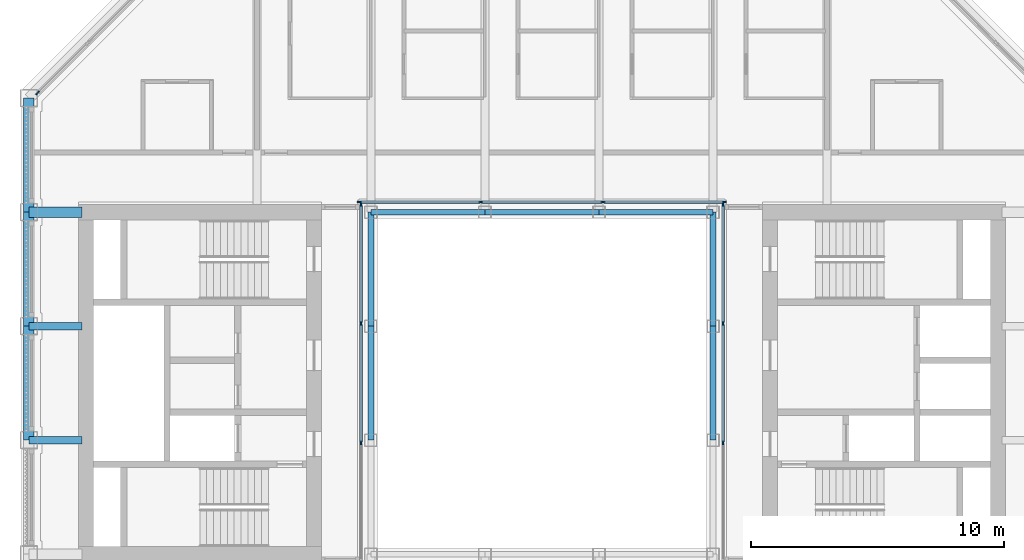
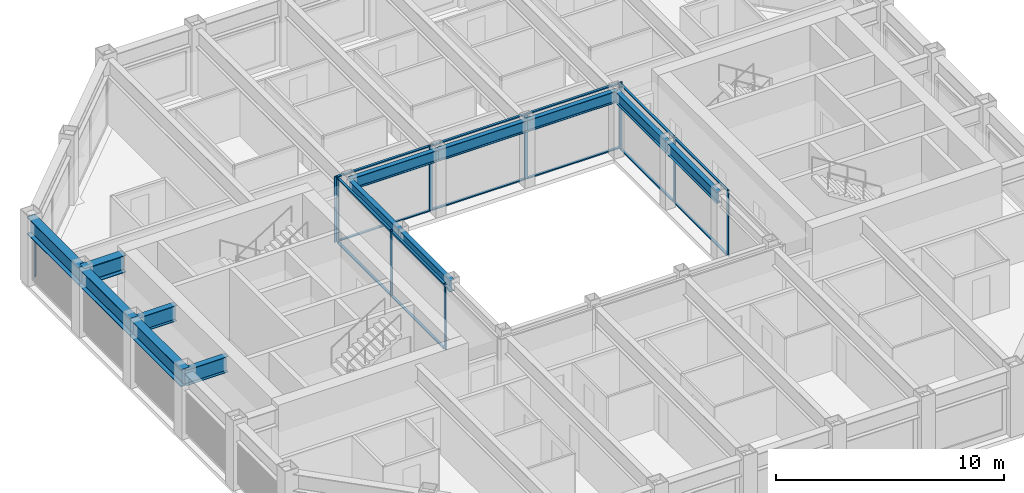
# One storey, part 4 of 17: 25 members, 13 beams, 4 elements without a shape of their own.
"""IFC4 building model written with IfcOpenShell, lengths in metres."""

import ifcopenshell
import ifcopenshell.guid

model = None  # the IFC model being written
_history = None  # IfcOwnerHistory: only IFC2X3 demands one
_inside = {}  # id of a spatial element -> (the spatial element, [elements in it])
_under = {}  # id of a project, library or spatial element -> (it, [spatial elements below it])
_declared = {}  # id of a project -> (the project, [libraries it declares])
_typed = {}  # id of a type object -> (the type object, [elements of that type])
_made_of = {}  # id of a material, layer set ... -> (it, [elements and type objects made of it])


def new_model(schema):
    """Start an empty IFC model of exactly this schema.

    Asked for "IFC4X3", IfcOpenShell would pick the latest addendum, in which some entities
    have other attributes; the version numbers below select the first issue.
    IFC2X3 requires an IfcOwnerHistory on every rooted entity: one is made here for all.
    """
    global model, _history
    if schema == "IFC4X3":
        model = ifcopenshell.file(schema_version=(4, 3, 0, 0))
    else:
        model = ifcopenshell.file(schema=schema)
    _inside.clear()
    _under.clear()
    _declared.clear()
    _typed.clear()
    _made_of.clear()
    _history = None
    if model.schema == "IFC2X3":
        org = make("IfcOrganization", Name="unknown")
        user = make(
            "IfcPersonAndOrganization",
            ThePerson=make("IfcPerson", FamilyName="unknown"),
            TheOrganization=org,
        )
        app = make(
            "IfcApplication",
            ApplicationDeveloper=org,
            Version="unknown",
            ApplicationFullName="unknown",
            ApplicationIdentifier="unknown",
        )
        _history = make(
            "IfcOwnerHistory",
            OwningUser=user,
            OwningApplication=app,
            ChangeAction="ADDED",
            CreationDate=0,
        )
    return model


def make(cls, **values):
    """One entity of the class cls with the attributes given. An attribute that is None is left unset."""
    return model.create_entity(
        cls, **{name: value for name, value in values.items() if value is not None}
    )


def rooted(cls, **values):
    """An entity with a GlobalId (a new one), such as an element, a storey or a relation."""
    return make(cls, GlobalId=ifcopenshell.guid.new(), OwnerHistory=_history, **values)


def si_unit(unit_type, name, prefix=None):
    """IfcSIUnit, for example si_unit("LENGTHUNIT", "METRE", prefix="MILLI")."""
    return make("IfcSIUnit", UnitType=unit_type, Prefix=prefix, Name=name)


def assignment(units):
    """IfcUnitAssignment: the units of a project."""
    return None if units is None else make("IfcUnitAssignment", Units=units)


def point(xyz):
    """IfcCartesianPoint."""
    return None if xyz is None else make("IfcCartesianPoint", Coordinates=xyz)


def direction(xyz):
    """IfcDirection."""
    return None if xyz is None else make("IfcDirection", DirectionRatios=xyz)


def frame(location, z_axis=None, x_axis=None):
    """IfcAxis2Placement3D, a coordinate frame: its origin and axes. An axis left out is left unset."""
    return make(
        "IfcAxis2Placement3D",
        Location=point(location),
        Axis=direction(z_axis),
        RefDirection=direction(x_axis),
    )


def frame_2d(location, x_axis=None):
    """IfcAxis2Placement2D, a coordinate frame in the plane: its origin and x axis."""
    return make(
        "IfcAxis2Placement2D", Location=point(location), RefDirection=direction(x_axis)
    )


def origin():
    """The frame at (0, 0, 0) with its axes left unset."""
    return frame((0.0, 0.0, 0.0))


def origin_2d():
    """The frame at (0, 0) in the plane with its x axis left unset."""
    return frame_2d((0.0, 0.0))


def place(relative_to, where):
    """IfcLocalPlacement: puts the frame where relative to a parent placement (None: the world)."""
    return make(
        "IfcLocalPlacement", PlacementRelTo=relative_to, RelativePlacement=where
    )


def context(
    kind, dimensions, precision=None, world=None, true_north=None, identifier=None
):
    """IfcGeometricRepresentationContext, for example the 3D "Model" context."""
    return make(
        "IfcGeometricRepresentationContext",
        ContextIdentifier=identifier,
        ContextType=kind,
        CoordinateSpaceDimension=dimensions,
        Precision=precision,
        WorldCoordinateSystem=world,
        TrueNorth=true_north,
    )


def subcontext(parent, identifier, kind, view, scale=None):
    """IfcGeometricRepresentationSubContext, for example "Body" below "Model"."""
    return make(
        "IfcGeometricRepresentationSubContext",
        ContextIdentifier=identifier,
        ContextType=kind,
        ParentContext=parent,
        TargetScale=scale,
        TargetView=view,
    )


def project(units=None, contexts=None):
    """IfcProject with its units and contexts."""
    return rooted(
        "IfcProject",
        Name="project",
        RepresentationContexts=contexts,
        UnitsInContext=assignment(units),
    )


def spatial(cls, under=None, at=None, **own):
    """A site, building, storey or space (cls), placed at a placement, below another one or the project."""
    s = rooted(cls, ObjectPlacement=at, **own)
    if under is not None:
        _under.setdefault(under.id(), (under, []))[1].append(s)
    return s


def profile(cls, at=None, kind="AREA", **sizes):
    """A parametric profile (cls). Its sizes go by their IFC names, for example OverallWidth=200.0."""
    return make(cls, ProfileType=kind, Position=at, **sizes)


def rectangle(**sizes):
    """IfcRectangleProfileDef."""
    return profile("IfcRectangleProfileDef", **sizes)


def i_section(**sizes):
    """IfcIShapeProfileDef."""
    return profile("IfcIShapeProfileDef", **sizes)


def extrude(swept, where, along, depth):
    """IfcExtrudedAreaSolid: the profile swept, set in the frame where, extruded along a direction by depth."""
    return make(
        "IfcExtrudedAreaSolid",
        SweptArea=swept,
        Position=where,
        ExtrudedDirection=direction(along),
        Depth=depth,
    )


def shape(context_of_items, identifier, shape_type, items):
    """IfcShapeRepresentation: the items that make up one representation, for example the "Body"."""
    return make(
        "IfcShapeRepresentation",
        ContextOfItems=context_of_items,
        RepresentationIdentifier=identifier,
        RepresentationType=shape_type,
        Items=items,
    )


def material(Name=None, Category=None):
    """IfcMaterial."""
    return make("IfcMaterial", Name=Name, Category=Category)


def material_profile(
    of_material, cross_section, Name=None, Category=None, Priority=None
):
    """IfcMaterialProfile: a cross section and its material."""
    return make(
        "IfcMaterialProfile",
        Name=Name,
        Material=of_material,
        Profile=cross_section,
        Priority=Priority,
        Category=Category,
    )


def profile_set(profiles, Name=None, composite=None):
    """IfcMaterialProfileSet."""
    return make(
        "IfcMaterialProfileSet",
        Name=Name,
        MaterialProfiles=profiles,
        CompositeProfile=composite,
    )


def made_of(thing, what):
    """Note that an element or type object is made of a material, layer set ...; save() writes the relation."""
    if what is not None:
        _made_of.setdefault(what.id(), (what, []))[1].append(thing)
    return thing


def type_object(cls, material=None, **own):
    """A type object (cls), such as IfcWallType, which elements share."""
    return made_of(rooted(cls, **own), material)


def element(
    cls,
    number,
    at=None,
    inside=None,
    cuts=None,
    type_object=None,
    material=None,
    context=None,
    identifier="Body",
    shape_type=None,
    held_by="IfcProductDefinitionShape",
    body=None,
    shapes=None,
    **own,
):
    """One element of the class cls, such as IfcWall. Its Tag is "e" and its number.

    at: its placement. inside: the storey or other place that contains it. cuts: it is an
    opening in that element (IfcRelVoidsElement). A single representation is given by context,
    identifier, shape_type and body (its items); several are given by shapes. held_by: the class
    of the entity that holds the representations. save() writes the other relations.
    """
    e = rooted(cls, Tag="e%d" % number, ObjectPlacement=at, **own)
    if body is not None:
        shapes = [shape(context, identifier, shape_type, body)]
    if shapes is not None:
        e.Representation = make(held_by, Representations=shapes)
    if inside is not None:
        _inside.setdefault(inside.id(), (inside, []))[1].append(e)
    if cuts is not None:
        rooted(
            "IfcRelVoidsElement", RelatingBuildingElement=cuts, RelatedOpeningElement=e
        )
    if type_object is not None:
        _typed.setdefault(type_object.id(), (type_object, []))[1].append(e)
    return made_of(e, material)


def aggregate(whole, parts):
    """IfcRelAggregates: a whole, such as a stair, and the parts it consists of."""
    return rooted("IfcRelAggregates", RelatingObject=whole, RelatedObjects=parts)


def save(model, path):
    """Write the relations noted so far, then the file.

    IfcRelAggregates (storeys below a building ...), IfcRelContainedInSpatialStructure (elements
    in a storey), IfcRelDefinesByType, IfcRelAssociatesMaterial and IfcRelDeclares: one each for
    every whole, place, type object, material and project.
    """
    for whole, parts in _under.values():
        aggregate(whole, parts)
    for where, things in _inside.values():
        rooted(
            "IfcRelContainedInSpatialStructure",
            RelatedElements=things,
            RelatingStructure=where,
        )
    for kind, things in _typed.values():
        rooted("IfcRelDefinesByType", RelatedObjects=things, RelatingType=kind)
    for what, things in _made_of.values():
        rooted("IfcRelAssociatesMaterial", RelatedObjects=things, RelatingMaterial=what)
    for by, libraries in _declared.values():
        rooted("IfcRelDeclares", RelatingContext=by, RelatedDefinitions=libraries)
    model.write(path)


model = new_model("IFC4")

# Units and contexts
model_context = context("Model", 3, precision=1e-05, world=origin(), true_north=direction((0.0, 1.0)))
body_context = subcontext(model_context, "Body", "Model", "MODEL_VIEW")
ifc_project = project(units=[si_unit("LENGTHUNIT", "METRE"), si_unit("AREAUNIT", "SQUARE_METRE"), si_unit("VOLUMEUNIT", "CUBIC_METRE"), si_unit("PLANEANGLEUNIT", "RADIAN"), si_unit("MASSUNIT", "GRAM", prefix="KILO")], contexts=[model_context])

# Site, building, storey
site_placement = place(None, origin())
site = spatial("IfcSite", under=ifc_project, at=site_placement, CompositionType="ELEMENT")
building_placement = place(site_placement, origin())
building = spatial("IfcBuilding", under=site, at=building_placement, Name="Msasa Ring Tower", CompositionType="ELEMENT")
storey_placement = place(building_placement, frame((0.0, 0.0, 253.300048828125)))
storey = spatial("IfcBuildingStorey", under=building, at=storey_placement, Name="L66", CompositionType="ELEMENT", Elevation=253.300048828125)

# Curtain wall, member
ifc_material_1 = material(Name="Aluminium curtain wall with clear glass", Category="aluminium")
curtain_wall_type_1 = type_object("IfcCurtainWallType", Name="CW-C CHAMFER CORNER CURTAIN WALL", PredefinedType="NOTDEFINED", material=ifc_material_1)
curtain_wall_1_placement = place(storey_placement, origin())
curtain_wall_1 = element("IfcCurtainWall", 1, at=curtain_wall_1_placement, inside=storey, type_object=curtain_wall_type_1, Name="Chamfer corner curtain wall NW L66", PredefinedType="NOTDEFINED")
ifc_material_2 = material(Name="Aluminium mullion", Category="aluminium")
ifc_material_profile_1 = material_profile(ifc_material_2, rectangle(XDim=0.06494140625, YDim=0.179931640625, at=origin_2d()), Name="AL 65x180")
ifc_profile_set_1 = profile_set([ifc_material_profile_1], Name="Aluminium mullion")
member_type_1 = type_object("IfcMemberType", Name="CW-C MULLION 65x180", PredefinedType="MULLION", material=ifc_profile_set_1)
member_1_placement = place(storey_placement, frame((-19.9052734375, 11.453369140625, 0.0), z_axis=(0.0, 0.0, 1.0), x_axis=(0.707106781187, -0.707106781187, 0.0)))
member_1 = element("IfcMember", 2, at=member_1_placement, type_object=member_type_1, Name="CW-C mullion 3", PredefinedType="MULLION", context=body_context, shape_type="SweptSolid", body=[
    extrude(rectangle(XDim=0.06494140625, YDim=0.179931640625, at=origin_2d()), origin(), (0.0, 0.0, 1.0), 2.578857421875),
])
aggregate(curtain_wall_1, [member_1])

# Curtain wall, members
ifc_material_3 = material(Name="Aluminium curtain wall with clear glass", Category="aluminium")
curtain_wall_type_2 = type_object("IfcCurtainWallType", Name="CW-W LIGHT WELL CURTAIN WALL", PredefinedType="NOTDEFINED", material=ifc_material_3)
curtain_wall_2_placement = place(storey_placement, origin())
curtain_wall_2 = element("IfcCurtainWall", 3, at=curtain_wall_2_placement, inside=storey, type_object=curtain_wall_type_2, Name="Light well curtain wall N L66", PredefinedType="NOTDEFINED")
ifc_material_4 = material(Name="Aluminium mullion", Category="aluminium")
ifc_material_profile_2 = material_profile(ifc_material_4, rectangle(XDim=0.06005859375, YDim=0.159912109375, at=origin_2d()), Name="AL 60x160")
ifc_profile_set_2 = profile_set([ifc_material_profile_2], Name="Aluminium mullion")
member_type_2 = type_object("IfcMemberType", Name="CW-W MULLION 60x160", PredefinedType="MULLION", material=ifc_profile_set_2)
member_2_placement = place(storey_placement, frame((-7.199951171875, 7.14990234375, 0.0), z_axis=(0.0, 0.0, 1.0), x_axis=(0.0, 1.0, 0.0)))
member_2 = element("IfcMember", 4, at=member_2_placement, type_object=member_type_2, Name="CW-W mullion 1", PredefinedType="MULLION", context=body_context, shape_type="SweptSolid", body=[
    extrude(rectangle(XDim=0.06005859375, YDim=0.159912109375, at=origin_2d()), origin(), (0.0, 0.0, 1.0), 3.5),
])
member_3_placement = place(storey_placement, frame((-2.409912109375, 7.14990234375, 0.0), z_axis=(0.0, 0.0, 1.0), x_axis=(0.0, 1.0, 0.0)))
member_3 = element("IfcMember", 5, at=member_3_placement, type_object=member_type_2, Name="CW-W mullion 2", PredefinedType="MULLION", context=body_context, shape_type="SweptSolid", body=[
    extrude(rectangle(XDim=0.06005859375, YDim=0.159912109375, at=origin_2d()), origin(), (0.0, 0.0, 1.0), 3.5),
])
member_4_placement = place(storey_placement, frame((2.409912109375, 7.14990234375, 0.0), z_axis=(0.0, 0.0, 1.0), x_axis=(0.0, 1.0, 0.0)))
member_4 = element("IfcMember", 6, at=member_4_placement, type_object=member_type_2, Name="CW-W mullion 3", PredefinedType="MULLION", context=body_context, shape_type="SweptSolid", body=[
    extrude(rectangle(XDim=0.06005859375, YDim=0.159912109375, at=origin_2d()), origin(), (0.0, 0.0, 1.0), 3.5),
])
member_5_placement = place(storey_placement, frame((7.199951171875, 7.14990234375, 0.0), z_axis=(0.0, 0.0, 1.0), x_axis=(0.0, 1.0, 0.0)))
member_5 = element("IfcMember", 7, at=member_5_placement, type_object=member_type_2, Name="CW-W mullion 4", PredefinedType="MULLION", context=body_context, shape_type="SweptSolid", body=[
    extrude(rectangle(XDim=0.06005859375, YDim=0.159912109375, at=origin_2d()), origin(), (0.0, 0.0, 1.0), 3.5),
])

curtain_wall_3_placement = place(storey_placement, origin())
curtain_wall_3 = element("IfcCurtainWall", 8, at=curtain_wall_3_placement, inside=storey, type_object=curtain_wall_type_2, Name="Light well curtain wall E L66", PredefinedType="NOTDEFINED")
member_6_placement = place(storey_placement, frame((7.14990234375, -2.356689453125, 0.0), z_axis=(0.0, 0.0, 1.0), x_axis=(-1.0, 0.0, 0.0)))
member_6 = element("IfcMember", 9, at=member_6_placement, type_object=member_type_2, Name="CW-W mullion 2", PredefinedType="MULLION", context=body_context, shape_type="SweptSolid", body=[
    extrude(rectangle(XDim=0.06005859375, YDim=0.159912109375, at=origin_2d()), origin(), (0.0, 0.0, 1.0), 3.5),
])
member_7_placement = place(storey_placement, frame((7.14990234375, 2.356689453125, 0.0), z_axis=(0.0, 0.0, 1.0), x_axis=(-1.0, 0.0, 0.0)))
member_7 = element("IfcMember", 10, at=member_7_placement, type_object=member_type_2, Name="CW-W mullion 3", PredefinedType="MULLION", context=body_context, shape_type="SweptSolid", body=[
    extrude(rectangle(XDim=0.06005859375, YDim=0.159912109375, at=origin_2d()), origin(), (0.0, 0.0, 1.0), 3.5),
])
member_8_placement = place(storey_placement, frame((7.14990234375, 7.0400390625, 0.0), z_axis=(0.0, 0.0, 1.0), x_axis=(-1.0, 0.0, 0.0)))
member_8 = element("IfcMember", 11, at=member_8_placement, type_object=member_type_2, Name="CW-W mullion 4", PredefinedType="MULLION", context=body_context, shape_type="SweptSolid", body=[
    extrude(rectangle(XDim=0.06005859375, YDim=0.159912109375, at=origin_2d()), origin(), (0.0, 0.0, 1.0), 3.5),
])

curtain_wall_4_placement = place(storey_placement, origin())
curtain_wall_4 = element("IfcCurtainWall", 12, at=curtain_wall_4_placement, inside=storey, type_object=curtain_wall_type_2, Name="Light well curtain wall W L66", PredefinedType="NOTDEFINED")
member_9_placement = place(storey_placement, frame((-7.14990234375, -2.356689453125, 0.0), z_axis=(0.0, 0.0, 1.0), x_axis=(-1.0, 0.0, 0.0)))
member_9 = element("IfcMember", 13, at=member_9_placement, type_object=member_type_2, Name="CW-W mullion 2", PredefinedType="MULLION", context=body_context, shape_type="SweptSolid", body=[
    extrude(rectangle(XDim=0.06005859375, YDim=0.159912109375, at=origin_2d()), origin(), (0.0, 0.0, 1.0), 3.5),
])
member_10_placement = place(storey_placement, frame((-7.14990234375, 2.356689453125, 0.0), z_axis=(0.0, 0.0, 1.0), x_axis=(-1.0, 0.0, 0.0)))
member_10 = element("IfcMember", 14, at=member_10_placement, type_object=member_type_2, Name="CW-W mullion 3", PredefinedType="MULLION", context=body_context, shape_type="SweptSolid", body=[
    extrude(rectangle(XDim=0.06005859375, YDim=0.159912109375, at=origin_2d()), origin(), (0.0, 0.0, 1.0), 3.5),
])
member_11_placement = place(storey_placement, frame((-7.14990234375, 7.0400390625, 0.0), z_axis=(0.0, 0.0, 1.0), x_axis=(-1.0, 0.0, 0.0)))
member_11 = element("IfcMember", 15, at=member_11_placement, type_object=member_type_2, Name="CW-W mullion 4", PredefinedType="MULLION", context=body_context, shape_type="SweptSolid", body=[
    extrude(rectangle(XDim=0.06005859375, YDim=0.159912109375, at=origin_2d()), origin(), (0.0, 0.0, 1.0), 3.5),
])

# Member
ifc_material_5 = material(Name="Aluminium transom", Category="aluminium")
ifc_material_profile_3 = material_profile(ifc_material_5, rectangle(XDim=0.1201171875, YDim=0.06005859375, at=origin_2d()), Name="AL 60x120")
ifc_profile_set_3 = profile_set([ifc_material_profile_3], Name="Aluminium transom")
member_type_3 = type_object("IfcMemberType", Name="CW-W TRANSOM 60x120", PredefinedType="USERDEFINED", material=ifc_profile_set_3)
member_12_placement = place(storey_placement, frame((-7.169921875, 7.14990234375, 0.030029296875), z_axis=(1.0, 0.0, 0.0), x_axis=(0.0, 1.0, 0.0)))
member_12 = element("IfcMember", 16, at=member_12_placement, type_object=member_type_3, Name="CW-W transom 1.1", ObjectType="TRANSOM", PredefinedType="USERDEFINED", context=body_context, shape_type="SweptSolid", body=[
    extrude(rectangle(XDim=0.1201171875, YDim=0.06005859375, at=origin_2d()), origin(), (0.0, 0.0, 1.0), 4.72998046875),
])

member_13_placement = place(storey_placement, frame((-7.169921875, 7.14990234375, 3.469970703125), z_axis=(1.0, 0.0, 0.0), x_axis=(0.0, 1.0, 0.0)))
member_13 = element("IfcMember", 17, at=member_13_placement, type_object=member_type_3, Name="CW-W transom 1.2", ObjectType="TRANSOM", PredefinedType="USERDEFINED", context=body_context, shape_type="SweptSolid", body=[
    extrude(rectangle(XDim=0.1201171875, YDim=0.06005859375, at=origin_2d()), origin(), (0.0, 0.0, 1.0), 4.72998046875),
])

member_14_placement = place(storey_placement, frame((-2.3798828125, 7.14990234375, 0.030029296875), z_axis=(1.0, 0.0, 0.0), x_axis=(0.0, 1.0, 0.0)))
member_14 = element("IfcMember", 18, at=member_14_placement, type_object=member_type_3, Name="CW-W transom 2.1", ObjectType="TRANSOM", PredefinedType="USERDEFINED", context=body_context, shape_type="SweptSolid", body=[
    extrude(rectangle(XDim=0.1201171875, YDim=0.06005859375, at=origin_2d()), origin(), (0.0, 0.0, 1.0), 4.759765625),
])

member_15_placement = place(storey_placement, frame((-2.3798828125, 7.14990234375, 3.469970703125), z_axis=(1.0, 0.0, 0.0), x_axis=(0.0, 1.0, 0.0)))
member_15 = element("IfcMember", 19, at=member_15_placement, type_object=member_type_3, Name="CW-W transom 2.2", ObjectType="TRANSOM", PredefinedType="USERDEFINED", context=body_context, shape_type="SweptSolid", body=[
    extrude(rectangle(XDim=0.1201171875, YDim=0.06005859375, at=origin_2d()), origin(), (0.0, 0.0, 1.0), 4.759765625),
])

member_16_placement = place(storey_placement, frame((2.43994140625, 7.14990234375, 0.030029296875), z_axis=(1.0, 0.0, 0.0), x_axis=(0.0, 1.0, 0.0)))
member_16 = element("IfcMember", 20, at=member_16_placement, type_object=member_type_3, Name="CW-W transom 3.1", ObjectType="TRANSOM", PredefinedType="USERDEFINED", context=body_context, shape_type="SweptSolid", body=[
    extrude(rectangle(XDim=0.1201171875, YDim=0.06005859375, at=origin_2d()), origin(), (0.0, 0.0, 1.0), 4.72998046875),
])

member_17_placement = place(storey_placement, frame((2.43994140625, 7.14990234375, 3.469970703125), z_axis=(1.0, 0.0, 0.0), x_axis=(0.0, 1.0, 0.0)))
member_17 = element("IfcMember", 21, at=member_17_placement, type_object=member_type_3, Name="CW-W transom 3.2", ObjectType="TRANSOM", PredefinedType="USERDEFINED", context=body_context, shape_type="SweptSolid", body=[
    extrude(rectangle(XDim=0.1201171875, YDim=0.06005859375, at=origin_2d()), origin(), (0.0, 0.0, 1.0), 4.72998046875),
])

aggregate(curtain_wall_2, [member_2, member_3, member_4, member_5, member_12, member_13, member_14, member_15, member_16, member_17])

member_18_placement = place(storey_placement, frame((7.14990234375, -2.32666015625, 0.030029296875), z_axis=(0.0, 1.0, 0.0), x_axis=(-1.0, 0.0, 0.0)))
member_18 = element("IfcMember", 22, at=member_18_placement, type_object=member_type_3, Name="CW-W transom 2.1", ObjectType="TRANSOM", PredefinedType="USERDEFINED", context=body_context, shape_type="SweptSolid", body=[
    extrude(rectangle(XDim=0.1201171875, YDim=0.06005859375, at=origin_2d()), origin(), (0.0, 0.0, 1.0), 4.6533203125),
])

member_19_placement = place(storey_placement, frame((7.14990234375, -2.32666015625, 3.469970703125), z_axis=(0.0, 1.0, 0.0), x_axis=(-1.0, 0.0, 0.0)))
member_19 = element("IfcMember", 23, at=member_19_placement, type_object=member_type_3, Name="CW-W transom 2.2", ObjectType="TRANSOM", PredefinedType="USERDEFINED", context=body_context, shape_type="SweptSolid", body=[
    extrude(rectangle(XDim=0.1201171875, YDim=0.06005859375, at=origin_2d()), origin(), (0.0, 0.0, 1.0), 4.6533203125),
])

member_20_placement = place(storey_placement, frame((7.14990234375, 2.38671875, 0.030029296875), z_axis=(0.0, 1.0, 0.0), x_axis=(-1.0, 0.0, 0.0)))
member_20 = element("IfcMember", 24, at=member_20_placement, type_object=member_type_3, Name="CW-W transom 3.1", ObjectType="TRANSOM", PredefinedType="USERDEFINED", context=body_context, shape_type="SweptSolid", body=[
    extrude(rectangle(XDim=0.1201171875, YDim=0.06005859375, at=origin_2d()), origin(), (0.0, 0.0, 1.0), 4.623291015625),
])

member_21_placement = place(storey_placement, frame((7.14990234375, 2.38671875, 3.469970703125), z_axis=(0.0, 1.0, 0.0), x_axis=(-1.0, 0.0, 0.0)))
member_21 = element("IfcMember", 25, at=member_21_placement, type_object=member_type_3, Name="CW-W transom 3.2", ObjectType="TRANSOM", PredefinedType="USERDEFINED", context=body_context, shape_type="SweptSolid", body=[
    extrude(rectangle(XDim=0.1201171875, YDim=0.06005859375, at=origin_2d()), origin(), (0.0, 0.0, 1.0), 4.623291015625),
])

aggregate(curtain_wall_3, [member_6, member_7, member_8, member_18, member_19, member_20, member_21])

member_22_placement = place(storey_placement, frame((-7.14990234375, -2.32666015625, 0.030029296875), z_axis=(0.0, 1.0, 0.0), x_axis=(-1.0, 0.0, 0.0)))
member_22 = element("IfcMember", 26, at=member_22_placement, type_object=member_type_3, Name="CW-W transom 2.1", ObjectType="TRANSOM", PredefinedType="USERDEFINED", context=body_context, shape_type="SweptSolid", body=[
    extrude(rectangle(XDim=0.1201171875, YDim=0.06005859375, at=origin_2d()), origin(), (0.0, 0.0, 1.0), 4.6533203125),
])

member_23_placement = place(storey_placement, frame((-7.14990234375, -2.32666015625, 3.469970703125), z_axis=(0.0, 1.0, 0.0), x_axis=(-1.0, 0.0, 0.0)))
member_23 = element("IfcMember", 27, at=member_23_placement, type_object=member_type_3, Name="CW-W transom 2.2", ObjectType="TRANSOM", PredefinedType="USERDEFINED", context=body_context, shape_type="SweptSolid", body=[
    extrude(rectangle(XDim=0.1201171875, YDim=0.06005859375, at=origin_2d()), origin(), (0.0, 0.0, 1.0), 4.6533203125),
])

member_24_placement = place(storey_placement, frame((-7.14990234375, 2.38671875, 0.030029296875), z_axis=(0.0, 1.0, 0.0), x_axis=(-1.0, 0.0, 0.0)))
member_24 = element("IfcMember", 28, at=member_24_placement, type_object=member_type_3, Name="CW-W transom 3.1", ObjectType="TRANSOM", PredefinedType="USERDEFINED", context=body_context, shape_type="SweptSolid", body=[
    extrude(rectangle(XDim=0.1201171875, YDim=0.06005859375, at=origin_2d()), origin(), (0.0, 0.0, 1.0), 4.623291015625),
])

member_25_placement = place(storey_placement, frame((-7.14990234375, 2.38671875, 3.469970703125), z_axis=(0.0, 1.0, 0.0), x_axis=(-1.0, 0.0, 0.0)))
member_25 = element("IfcMember", 29, at=member_25_placement, type_object=member_type_3, Name="CW-W transom 3.2", ObjectType="TRANSOM", PredefinedType="USERDEFINED", context=body_context, shape_type="SweptSolid", body=[
    extrude(rectangle(XDim=0.1201171875, YDim=0.06005859375, at=origin_2d()), origin(), (0.0, 0.0, 1.0), 4.623291015625),
])

aggregate(curtain_wall_4, [member_9, member_10, member_11, member_22, member_23, member_24, member_25])

# Beams
ifc_material_6 = material(Name="Steel S355", Category="steel")
ifc_material_profile_4 = material_profile(ifc_material_6, i_section(OverallWidth=0.293701171875, OverallDepth=0.850830078125, WebThickness=0.01611328125, FlangeThickness=0.02685546875, FilletRadius=0.017822265625, at=origin_2d()), Name="UB 838x292x226")
ifc_profile_set_4 = profile_set([ifc_material_profile_4], Name="Steel S355")
beam_type_1 = type_object("IfcBeamType", Name="FB5 UB 838x292x226", PredefinedType="BEAM", material=ifc_profile_set_4)
for number, where, z_axis, x_axis, name in (
    (30, (-20.25, -2.25, 3.074462890625), (1.0, 0.0, 0.0), (0.0, 1.0, 0.0), "Floor beam W -2.25 under L67"),
    (31, (-20.25, 2.25, 3.074462890625), (1.0, 0.0, 0.0), (0.0, 1.0, 0.0), "Floor beam W +2.25 under L67"),
):
    element("IfcBeam", number, at=place(storey_placement, frame(where, z_axis=z_axis, x_axis=x_axis)), inside=storey, type_object=beam_type_1, Name=name, PredefinedType="BEAM", context=body_context, shape_type="SweptSolid", body=[
        extrude(i_section(OverallWidth=0.293701171875, OverallDepth=0.850830078125, WebThickness=0.01611328125, FlangeThickness=0.02685546875, FilletRadius=0.017822265625, at=origin_2d()), origin(), (0.0, 0.0, 1.0), 2.10009765625),
    ])
ifc_material_7 = material(Name="Steel S355", Category="steel")
ifc_material_profile_5 = material_profile(ifc_material_7, i_section(OverallWidth=0.42041015625, OverallDepth=0.9208984375, WebThickness=0.021484375, FlangeThickness=0.03662109375, FilletRadius=0.024169921875, at=origin_2d()), Name="UB 914x419x388")
ifc_profile_set_5 = profile_set([ifc_material_profile_5], Name="Steel S355")
beam_type_2 = type_object("IfcBeamType", Name="GB1 UB 914x419x388", PredefinedType="BEAM", material=ifc_profile_set_5)
beam_placement = place(storey_placement, frame((-18.14990234375, 6.75, 3.03955078125), z_axis=(-1.0, 0.0, 0.0), x_axis=(0.0, -1.0, 0.0)))
element("IfcBeam", 32, at=beam_placement, inside=storey, type_object=beam_type_2, Name="Girder W +6.75 under L67", PredefinedType="BEAM", context=body_context, shape_type="SweptSolid", body=[
    extrude(i_section(OverallWidth=0.42041015625, OverallDepth=0.9208984375, WebThickness=0.021484375, FlangeThickness=0.03662109375, FilletRadius=0.024169921875, at=origin_2d()), origin(), (0.0, 0.0, 1.0), 2.10009765625),
])
ifc_material_8 = material(Name="Steel S355", Category="steel")
ifc_material_profile_6 = material_profile(ifc_material_8, i_section(OverallWidth=0.230224609375, OverallDepth=0.6171875, WebThickness=0.01318359375, FlangeThickness=0.022216796875, FilletRadius=0.0126953125, at=origin_2d()), Name="UB 610x229x140")
ifc_profile_set_6 = profile_set([ifc_material_profile_6], Name="Steel S355")
beam_type_3 = type_object("IfcBeamType", Name="RB1 UB 610x229x140", PredefinedType="BEAM", material=ifc_profile_set_6)
for number, where, z_axis, x_axis, name in (
    (33, (6.75, -2.25, 3.19140625), (0.0, 1.0, 0.0), (-1.0, 0.0, 0.0), "Inner ring beam IR+6.75-2.25 under L67"),
    (34, (6.75, 2.25, 3.19140625), (0.0, 1.0, 0.0), (-1.0, 0.0, 0.0), "Inner ring beam IR+6.75+2.25 under L67"),
    (35, (6.75, 6.75, 3.19140625), (-1.0, 0.0, 0.0), (0.0, -1.0, 0.0), "Inner ring beam IR+6.75+6.75 under L67"),
    (36, (2.25, 6.75, 3.19140625), (-1.0, 0.0, 0.0), (0.0, -1.0, 0.0), "Inner ring beam IR+2.25+6.75 under L67"),
    (37, (-2.25, 6.75, 3.19140625), (-1.0, 0.0, 0.0), (0.0, -1.0, 0.0), "Inner ring beam IR-2.25+6.75 under L67"),
    (38, (-6.75, 6.75, 3.19140625), (0.0, -1.0, 0.0), (1.0, 0.0, 0.0), "Inner ring beam IR-6.75+6.75 under L67"),
    (39, (-6.75, 2.25, 3.19140625), (0.0, -1.0, 0.0), (1.0, 0.0, 0.0), "Inner ring beam IR-6.75+2.25 under L67"),
):
    element("IfcBeam", number, at=place(storey_placement, frame(where, z_axis=z_axis, x_axis=x_axis)), inside=storey, type_object=beam_type_3, Name=name, PredefinedType="BEAM", context=body_context, shape_type="SweptSolid", body=[
        extrude(i_section(OverallWidth=0.230224609375, OverallDepth=0.6171875, WebThickness=0.01318359375, FlangeThickness=0.022216796875, FilletRadius=0.0126953125, at=origin_2d()), origin(), (0.0, 0.0, 1.0), 4.5),
    ])
ifc_material_9 = material(Name="Steel S355", Category="steel")
ifc_material_profile_7 = material_profile(ifc_material_9, i_section(OverallWidth=0.42041015625, OverallDepth=0.9208984375, WebThickness=0.021484375, FlangeThickness=0.03662109375, FilletRadius=0.024169921875, at=origin_2d()), Name="UB 914x419x388")
ifc_profile_set_7 = profile_set([ifc_material_profile_7], Name="Steel S355")
beam_type_4 = type_object("IfcBeamType", Name="SB1 UB 914x419x388", PredefinedType="SPANDREL", material=ifc_profile_set_7)
for number, where, z_axis, x_axis, name in (
    (40, (-20.25, 11.25, 3.03955078125), (0.0, -1.0, 0.0), (1.0, 0.0, 0.0), "Spandrel W+11.25 to W+6.75 under L67"),
    (41, (-20.25, 6.75, 3.03955078125), (0.0, -1.0, 0.0), (1.0, 0.0, 0.0), "Spandrel W+6.75 to W+2.25 under L67"),
    (42, (-20.25, 2.25, 3.03955078125), (0.0, -1.0, 0.0), (1.0, 0.0, 0.0), "Spandrel W+2.25 to W-2.25 under L67"),
):
    element("IfcBeam", number, at=place(storey_placement, frame(where, z_axis=z_axis, x_axis=x_axis)), inside=storey, type_object=beam_type_4, Name=name, PredefinedType="SPANDREL", context=body_context, shape_type="SweptSolid", body=[
        extrude(i_section(OverallWidth=0.42041015625, OverallDepth=0.9208984375, WebThickness=0.021484375, FlangeThickness=0.03662109375, FilletRadius=0.024169921875, at=origin_2d()), origin(), (0.0, 0.0, 1.0), 4.5),
    ])

save(model, "model.ifc")
